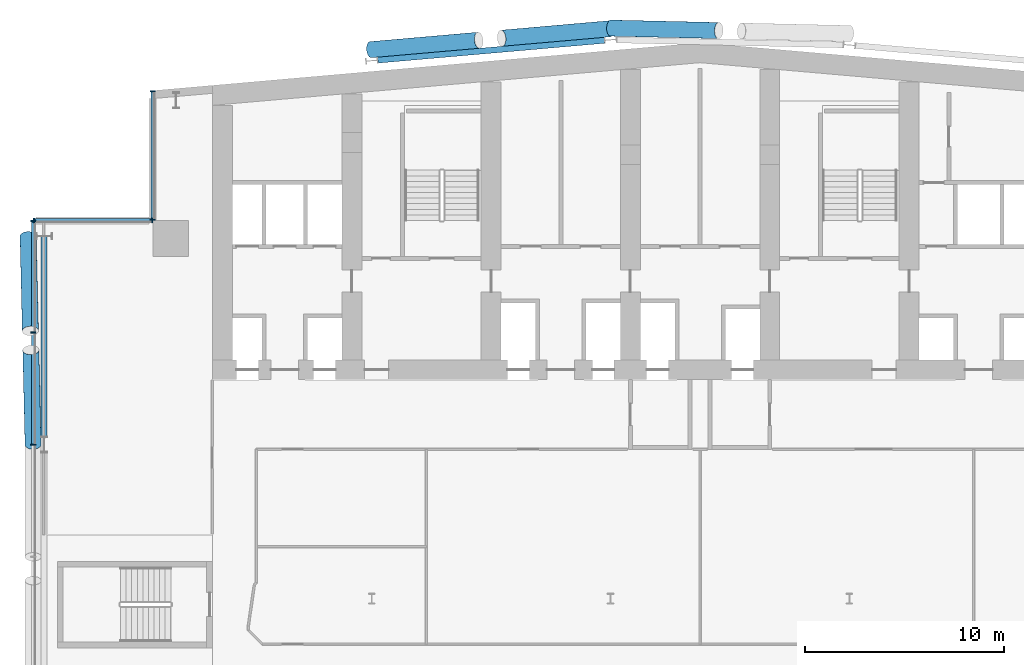
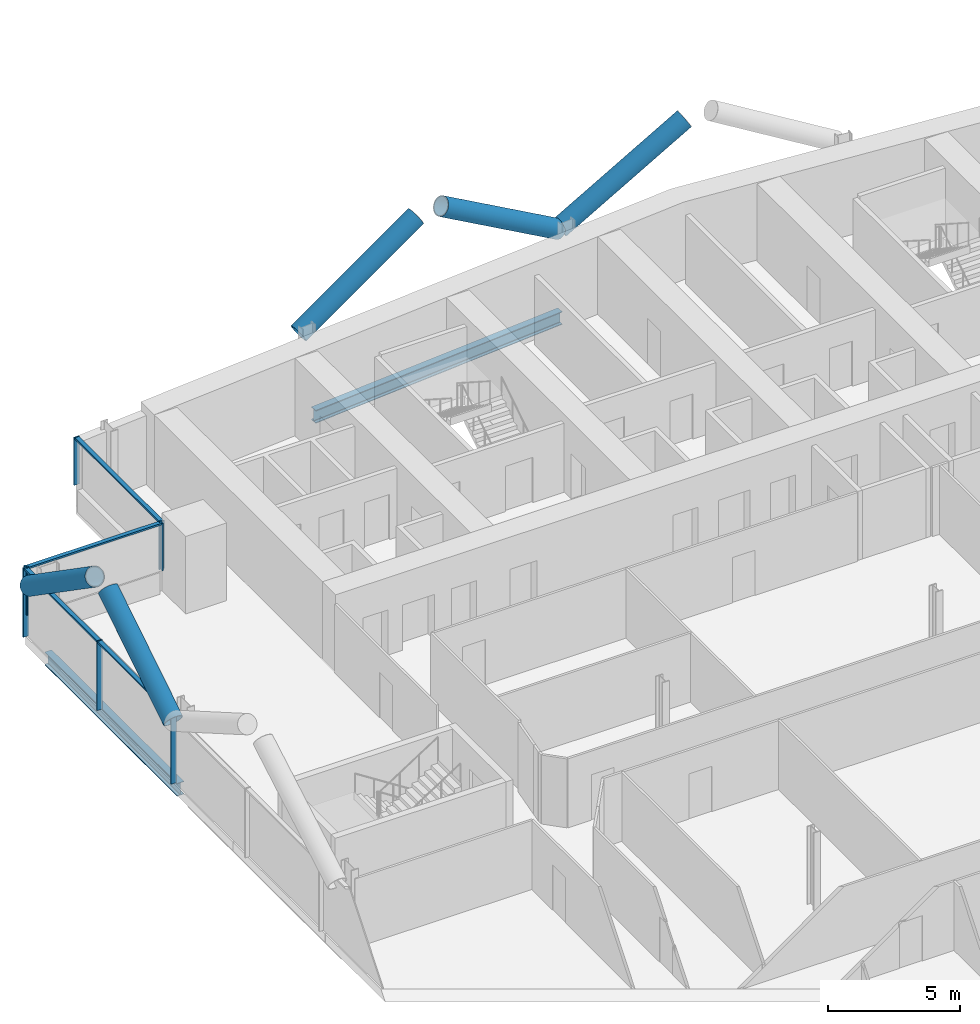
# One storey, part 8 of 27: 16 members, 2 beams, 3 elements without a shape of their own.
"""IFC4 building model written with IfcOpenShell, lengths in metres."""

from ifc_helpers import new_model, si_unit, direction, frame, origin, origin_2d, place, context, subcontext, project, spatial, rectangle, hollow_circle, i_section, extrude, material, material_profile, profile_set, type_object, element, aggregate, save


model = new_model("IFC4")

# Units and contexts
model_context = context("Model", 3, precision=1e-05, world=origin(), true_north=direction((0.0, 1.0)))
body_context = subcontext(model_context, "Body", "Model", "MODEL_VIEW")
ifc_project = project(units=[si_unit("LENGTHUNIT", "METRE"), si_unit("AREAUNIT", "SQUARE_METRE"), si_unit("VOLUMEUNIT", "CUBIC_METRE"), si_unit("PLANEANGLEUNIT", "RADIAN"), si_unit("MASSUNIT", "GRAM", prefix="KILO")], contexts=[model_context])

# Site, building, storey
site_placement = place(None, origin())
site = spatial("IfcSite", under=ifc_project, at=site_placement, CompositionType="ELEMENT")
building_placement = place(site_placement, origin())
building = spatial("IfcBuilding", under=site, at=building_placement, Name="Wharfspan Tower", CompositionType="ELEMENT")
storey_placement = place(building_placement, frame((0.0, 0.0, 136.300049)))
storey = spatial("IfcBuildingStorey", under=building, at=storey_placement, Name="L32", CompositionType="ELEMENT", Elevation=136.300049)

# Beams
ifc_material_1 = material(Name="Steel S355J2", Category="steel")
ifc_material_profile_1 = material_profile(ifc_material_1, i_section(OverallWidth=0.300049, OverallDepth=0.600098, WebThickness=0.015381, FlangeThickness=0.030029, FilletRadius=0.0271, at=origin_2d()))
ifc_profile_set_1 = profile_set([ifc_material_profile_1], Name="Steel S355J2")
beam_type = type_object("IfcBeamType", Name="Edge beam HEB 600", PredefinedType="SPANDREL", material=ifc_profile_set_1)
beam_1_placement = place(storey_placement, frame((35.695068, 51.050537, -0.699951), z_axis=(-0.996194, -0.087162, 0.0), x_axis=(0.087162, -0.996194, 0.0)))
element("IfcBeam", 1, at=beam_1_placement, inside=storey, type_object=beam_type, Name="Edge beam N1 L32 R.2 to R.1", PredefinedType="SPANDREL", context=body_context, shape_type="SweptSolid", body=[
    extrude(i_section(OverallWidth=0.300049, OverallDepth=0.600098, WebThickness=0.015381, FlangeThickness=0.030029, FilletRadius=0.0271, at=origin_2d()), origin(), (0.0, 0.0, 1.0), 11.433594),
])
beam_2_placement = place(storey_placement, frame((7.544434, 41.201416, -0.699951), z_axis=(-0.000412, -1.0, 0.0), x_axis=(1.0, -0.000412, 0.0)))
element("IfcBeam", 2, at=beam_2_placement, inside=storey, type_object=beam_type, Name="Edge beam W L32 PNRW-H.1 to PW.1", PredefinedType="SPANDREL", context=body_context, shape_type="SweptSolid", body=[
    extrude(i_section(OverallWidth=0.300049, OverallDepth=0.600098, WebThickness=0.015381, FlangeThickness=0.030029, FilletRadius=0.0271, at=origin_2d()), origin(), (0.0, 0.0, 1.0), 10.065186),
])

# Curtain wall, members
ifc_material_2 = material(Name="Aluminium 6063-T6", Category="aluminium")
curtain_wall_type = type_object("IfcCurtainWallType", Name="CURTAIN WALL PROW AND END", PredefinedType="NOTDEFINED", material=ifc_material_2)
curtain_wall_1_placement = place(storey_placement, origin())
curtain_wall_1 = element("IfcCurtainWall", 3, at=curtain_wall_1_placement, inside=storey, type_object=curtain_wall_type, Name="Curtain wall NRW-V", PredefinedType="NOTDEFINED")
ifc_material_profile_2 = material_profile(ifc_material_2, rectangle(XDim=0.23999, YDim=0.060059, at=origin_2d()))
ifc_profile_set_2 = profile_set([ifc_material_profile_2], Name="Aluminium 6063-T6")
member_type_1 = type_object("IfcMemberType", Name="MULLION PROW AND END 60x240", PredefinedType="MULLION", material=ifc_profile_set_2)
member_1_placement = place(storey_placement, frame((13.0, 48.494873, 1.0), z_axis=(0.0, 0.0, 1.0), x_axis=(1.0, 0.0, 0.0)))
member_1 = element("IfcMember", 4, at=member_1_placement, type_object=member_type_1, Name="Curtain wall NRW-V mullion 1", PredefinedType="MULLION", context=body_context, shape_type="SweptSolid", body=[
    extrude(rectangle(XDim=0.23999, YDim=0.060059, at=origin_2d()), origin(), (0.0, 0.0, 1.0), 2.199951),
])
member_2_placement = place(storey_placement, frame((13.0, 42.030029, 1.0), z_axis=(0.0, 0.0, 1.0), x_axis=(1.0, 0.0, 0.0)))
member_2 = element("IfcMember", 5, at=member_2_placement, type_object=member_type_1, Name="Curtain wall NRW-V mullion 2", PredefinedType="MULLION", context=body_context, shape_type="SweptSolid", body=[
    extrude(rectangle(XDim=0.23999, YDim=0.060059, at=origin_2d()), origin(), (0.0, 0.0, 1.0), 2.199951),
])

curtain_wall_2_placement = place(storey_placement, origin())
curtain_wall_2 = element("IfcCurtainWall", 6, at=curtain_wall_2_placement, inside=storey, type_object=curtain_wall_type, Name="Curtain wall NRW-H", PredefinedType="NOTDEFINED")
member_3_placement = place(storey_placement, frame((12.969971, 42.0, 1.0), z_axis=(0.0, 0.0, 1.0), x_axis=(0.0, -1.0, 0.0)))
member_3 = element("IfcMember", 7, at=member_3_placement, type_object=member_type_1, Name="Curtain wall NRW-H mullion 1", PredefinedType="MULLION", context=body_context, shape_type="SweptSolid", body=[
    extrude(rectangle(XDim=0.23999, YDim=0.060059, at=origin_2d()), origin(), (0.0, 0.0, 1.0), 2.199951),
])
member_4_placement = place(storey_placement, frame((7.030029, 42.0, 1.0), z_axis=(0.0, 0.0, 1.0), x_axis=(0.0, -1.0, 0.0)))
member_4 = element("IfcMember", 8, at=member_4_placement, type_object=member_type_1, Name="Curtain wall NRW-H mullion 2", PredefinedType="MULLION", context=body_context, shape_type="SweptSolid", body=[
    extrude(rectangle(XDim=0.23999, YDim=0.060059, at=origin_2d()), origin(), (0.0, 0.0, 1.0), 2.199951),
])

curtain_wall_3_placement = place(storey_placement, origin())
curtain_wall_3 = element("IfcCurtainWall", 9, at=curtain_wall_3_placement, inside=storey, type_object=curtain_wall_type, Name="Curtain wall W", PredefinedType="NOTDEFINED")
member_5_placement = place(storey_placement, frame((7.0, 41.969971, 0.0), z_axis=(0.0, 0.0, 1.0), x_axis=(1.0, 0.0, 0.0)))
member_5 = element("IfcMember", 10, at=member_5_placement, type_object=member_type_1, Name="Curtain wall W mullion 1", PredefinedType="MULLION", context=body_context, shape_type="SweptSolid", body=[
    extrude(rectangle(XDim=0.23999, YDim=0.060059, at=origin_2d()), origin(), (0.0, 0.0, 1.0), 3.199951),
])
member_6_placement = place(storey_placement, frame((7.0, 36.366699, 0.0), z_axis=(0.0, 0.0, 1.0), x_axis=(1.0, 0.0, 0.0)))
member_6 = element("IfcMember", 11, at=member_6_placement, type_object=member_type_1, Name="Curtain wall W mullion 2", PredefinedType="MULLION", context=body_context, shape_type="SweptSolid", body=[
    extrude(rectangle(XDim=0.23999, YDim=0.060059, at=origin_2d()), origin(), (0.0, 0.0, 1.0), 3.199951),
])
member_7_placement = place(storey_placement, frame((7.0, 30.733398, 0.0), z_axis=(0.0, 0.0, 1.0), x_axis=(1.0, 0.0, 0.0)))
member_7 = element("IfcMember", 12, at=member_7_placement, type_object=member_type_1, Name="Curtain wall W mullion 3", PredefinedType="MULLION", context=body_context, shape_type="SweptSolid", body=[
    extrude(rectangle(XDim=0.23999, YDim=0.060059, at=origin_2d()), origin(), (0.0, 0.0, 1.0), 3.199951),
])

# Members
ifc_material_3 = material(Name="Steel S460NH", Category="steel")
ifc_material_profile_3 = material_profile(ifc_material_3, hollow_circle(Radius=0.406494, WallThickness=0.040039, at=origin_2d()))
ifc_profile_set_3 = profile_set([ifc_material_profile_3], Name="Steel S460NH")
member_type_2 = type_object("IfcMemberType", Name="Mega brace CHS 813x40", PredefinedType="BRACE", material=ifc_profile_set_3)
for number, where, z_axis, x_axis, name in (
    (13, (6.734131, 41.208008, 2.899902), (0.019722, -0.823926, 0.566354), (0.999713, 0.023927, -4e-06), "Mega brace W4 L33 part 1"),
    (14, (6.985107, 30.733398, 2.899902), (-0.019765, 0.823912, 0.566373), (-0.999715, -0.023981, -2e-06), "Mega brace W4 L33 part 3"),
):
    element("IfcMember", number, at=place(storey_placement, frame(where, z_axis=z_axis, x_axis=x_axis)), inside=storey, type_object=member_type_2, Name=name, PredefinedType="BRACE", context=body_context, shape_type="SweptSolid", body=[
        extrude(hollow_circle(Radius=0.406494, WallThickness=0.040039, at=origin_2d()), origin(), (0.0, 0.0, 1.0), 5.768555),
    ])
member_8_placement = place(storey_placement, frame((36.012939, 51.665771, 2.899902), z_axis=(0.857317, -0.019649, 0.514413), x_axis=(0.022912, 0.999739, 2e-06)))
element("IfcMember", 15, at=member_8_placement, inside=storey, type_object=member_type_2, Name="Mega brace N7 L33 part 1", PredefinedType="BRACE", context=body_context, shape_type="SweptSolid", body=[
    extrude(hollow_circle(Radius=0.406494, WallThickness=0.040039, at=origin_2d()), origin(), (0.0, 0.0, 1.0), 6.324463),
])
member_9_placement = place(storey_placement, frame((23.95166, 50.581299, 2.899902), z_axis=(0.855079, 0.074777, 0.513078), x_axis=(-0.087118, 0.996199, 0.0)))
element("IfcMember", 16, at=member_9_placement, inside=storey, type_object=member_type_2, Name="Mega brace N8 L33 part 1", PredefinedType="BRACE", context=body_context, shape_type="SweptSolid", body=[
    extrude(hollow_circle(Radius=0.406494, WallThickness=0.040039, at=origin_2d()), origin(), (0.0, 0.0, 1.0), 6.340576),
])
member_10_placement = place(storey_placement, frame((35.95166, 51.631104, 2.899902), z_axis=(-0.855087, -0.074812, 0.51306), x_axis=(0.087157, -0.996195, -1e-06)))
element("IfcMember", 17, at=member_10_placement, inside=storey, type_object=member_type_2, Name="Mega brace N8 L33 part 3", PredefinedType="BRACE", context=body_context, shape_type="SweptSolid", body=[
    extrude(hollow_circle(Radius=0.406494, WallThickness=0.040039, at=origin_2d()), origin(), (0.0, 0.0, 1.0), 6.34082),
])

# Member
ifc_material_profile_4 = material_profile(ifc_material_2, rectangle(XDim=0.179932, YDim=0.080078, at=origin_2d()))
ifc_profile_set_4 = profile_set([ifc_material_profile_4], Name="Aluminium 6063-T6")
member_type_3 = type_object("IfcMemberType", Name="TRANSOM PROW AND END 80x180", PredefinedType="USERDEFINED", material=ifc_profile_set_4)
member_11_placement = place(storey_placement, frame((13.0, 48.464844, 3.159912), z_axis=(0.0, -1.0, 0.0), x_axis=(1.0, 0.0, 0.0)))
member_11 = element("IfcMember", 18, at=member_11_placement, type_object=member_type_3, Name="Curtain wall NRW-V transom 1", ObjectType="TRANSOM", PredefinedType="USERDEFINED", context=body_context, shape_type="SweptSolid", body=[
    extrude(rectangle(XDim=0.179932, YDim=0.080078, at=origin_2d()), origin(), (0.0, 0.0, 1.0), 6.404785),
])

aggregate(curtain_wall_1, [member_1, member_2, member_11])

member_12_placement = place(storey_placement, frame((12.939941, 42.0, 3.159912), z_axis=(-1.0, 0.0, 0.0), x_axis=(0.0, -1.0, 0.0)))
member_12 = element("IfcMember", 19, at=member_12_placement, type_object=member_type_3, Name="Curtain wall NRW-H transom 1", ObjectType="TRANSOM", PredefinedType="USERDEFINED", context=body_context, shape_type="SweptSolid", body=[
    extrude(rectangle(XDim=0.179932, YDim=0.080078, at=origin_2d()), origin(), (0.0, 0.0, 1.0), 5.879883),
])

aggregate(curtain_wall_2, [member_3, member_4, member_12])

member_13_placement = place(storey_placement, frame((7.0, 41.939941, 3.159912), z_axis=(0.0, -1.0, 0.0), x_axis=(1.0, 0.0, 0.0)))
member_13 = element("IfcMember", 20, at=member_13_placement, type_object=member_type_3, Name="Curtain wall W transom 1", ObjectType="TRANSOM", PredefinedType="USERDEFINED", context=body_context, shape_type="SweptSolid", body=[
    extrude(rectangle(XDim=0.179932, YDim=0.080078, at=origin_2d()), origin(), (0.0, 0.0, 1.0), 5.543213),
])

member_14_placement = place(storey_placement, frame((7.0, 36.33667, 3.159912), z_axis=(0.0, -1.0, 0.0), x_axis=(1.0, 0.0, 0.0)))
member_14 = element("IfcMember", 21, at=member_14_placement, type_object=member_type_3, Name="Curtain wall W transom 2", ObjectType="TRANSOM", PredefinedType="USERDEFINED", context=body_context, shape_type="SweptSolid", body=[
    extrude(rectangle(XDim=0.179932, YDim=0.080078, at=origin_2d()), origin(), (0.0, 0.0, 1.0), 5.573242),
])

aggregate(curtain_wall_3, [member_5, member_6, member_7, member_13, member_14])

save(model, "model.ifc")
